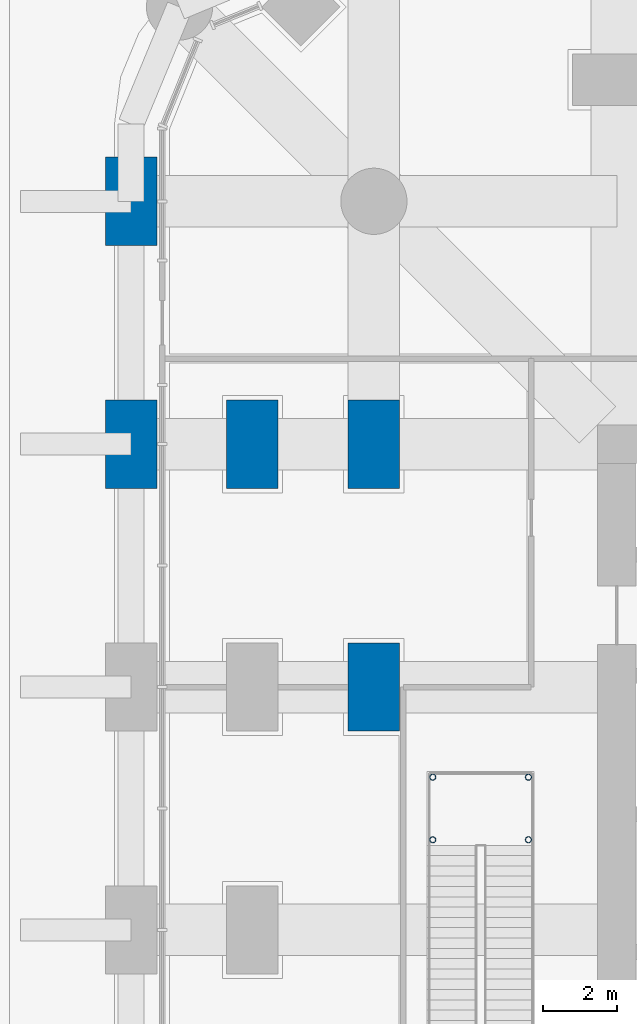
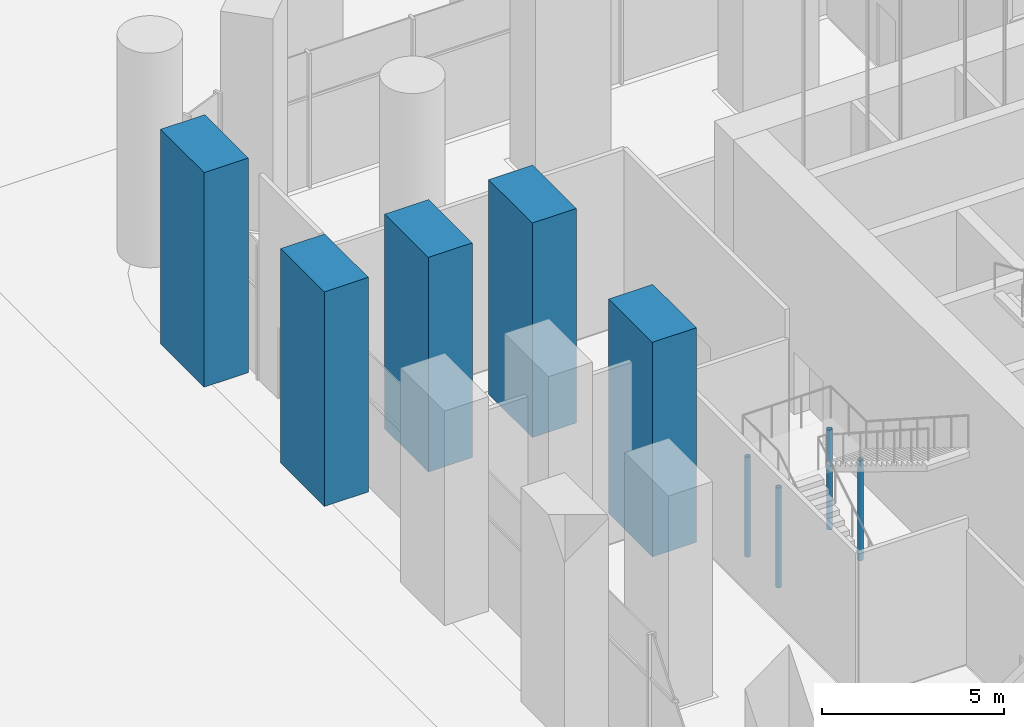
# One storey, part 6 of 32: 9 columns.
"""IFC4 building model written with IfcOpenShell, lengths in metres."""

from ifc_helpers import new_model, si_unit, direction, frame, origin, origin_2d, place, context, subcontext, project, spatial, rectangle, hollow_circle, extrude, material, material_profile, profile_set, type_object, element, save


model = new_model("IFC4")

# Units and contexts
model_context = context("Model", 3, precision=1e-05, world=origin(), true_north=direction((0.0, 1.0)))
body_context = subcontext(model_context, "Body", "Model", "MODEL_VIEW")
ifc_project = project(units=[si_unit("LENGTHUNIT", "METRE"), si_unit("AREAUNIT", "SQUARE_METRE"), si_unit("VOLUMEUNIT", "CUBIC_METRE"), si_unit("PLANEANGLEUNIT", "RADIAN"), si_unit("MASSUNIT", "GRAM", prefix="KILO")], contexts=[model_context])

# Site, building, storey
site_placement = place(None, origin())
site = spatial("IfcSite", under=ifc_project, at=site_placement, CompositionType="ELEMENT")
building_placement = place(site_placement, origin())
building = spatial("IfcBuilding", under=site, at=building_placement, Name="Cobogo Forest Laboratory Tower", CompositionType="ELEMENT")
storey_placement = place(building_placement, origin())
storey = spatial("IfcBuildingStorey", under=building, at=storey_placement, Name="L00", CompositionType="ELEMENT", Elevation=0.0)

# Columns
ifc_material_1 = material(Name="Concrete HA-50 (C50/60)", Category="concrete")
ifc_material_profile_1 = material_profile(ifc_material_1, rectangle(XDim=2.39990234375, YDim=1.39990234375, at=origin_2d()), Name="RC 1400x2400")
ifc_profile_set_1 = profile_set([ifc_material_profile_1], Name="Concrete HA-50 (C50/60)")
column_type_1 = type_object("IfcColumnType", Name="Blade column 1400x2400", PredefinedType="COLUMN", material=ifc_profile_set_1)
for number, where, z_axis, x_axis, name in (
    (1, (0.0, 33.0, 0.0), (0.0, 0.0, 1.0), (0.0, 1.0, 0.0), "Column 1-F L00"),
    (2, (0.0, 39.60009765625, 0.0), (0.0, 0.0, 1.0), (0.0, 1.0, 0.0), "Column 1-G L00"),
    (3, (3.300048828125, 33.0, 0.0), (0.0, 0.0, 1.0), (0.0, 1.0, 0.0), "Column 1.1-F-B L00"),
    (4, (6.60009765625, 26.39990234375, 0.0), (0.0, 0.0, 1.0), (0.0, 1.0, 0.0), "Column 2-E-D L00"),
    (5, (6.60009765625, 33.0, 0.0), (0.0, 0.0, 1.0), (0.0, 1.0, 0.0), "Column 2-F-D L00"),
):
    element("IfcColumn", number, at=place(storey_placement, frame(where, z_axis=z_axis, x_axis=x_axis)), inside=storey, type_object=column_type_1, Name=name, PredefinedType="COLUMN", context=body_context, shape_type="SweptSolid", body=[
        extrude(rectangle(XDim=2.39990234375, YDim=1.39990234375, at=origin_2d()), origin(), (0.0, 0.0, 1.0), 7.199951171875),
    ])
ifc_material_2 = material(Name="Steel S355", Category="steel")
ifc_material_profile_2 = material_profile(ifc_material_2, hollow_circle(Radius=0.084228515625, WallThickness=0.008056640625, at=origin_2d()), Name="CHS 168.3x8")
ifc_profile_set_2 = profile_set([ifc_material_profile_2], Name="Steel S355")
column_type_2 = type_object("IfcColumnType", Name="FSP1 feature stair landing post CHS 168x8", PredefinedType="COLUMN", material=ifc_profile_set_2)
for number, where, z_axis, x_axis, name in (
    (6, (8.199951171875, 22.25, 0.0), (0.0, 0.0, 1.0), (1.0, 0.0, 0.0), "Feature stair landing post 1 L00"),
    (7, (10.800048828125, 22.25, 0.0), (0.0, 0.0, 1.0), (1.0, 0.0, 0.0), "Feature stair landing post 2 L00"),
    (8, (10.800048828125, 23.949951171875, 0.0), (0.0, 0.0, 1.0), (1.0, 0.0, 0.0), "Feature stair landing post 3 L00"),
    (9, (8.199951171875, 23.949951171875, 0.0), (0.0, 0.0, 1.0), (1.0, 0.0, 0.0), "Feature stair landing post 4 L00"),
):
    element("IfcColumn", number, at=place(storey_placement, frame(where, z_axis=z_axis, x_axis=x_axis)), inside=storey, type_object=column_type_2, Name=name, PredefinedType="COLUMN", context=body_context, shape_type="SweptSolid", body=[
        extrude(hollow_circle(Radius=0.084228515625, WallThickness=0.008056640625, at=origin_2d()), origin(), (0.0, 0.0, 1.0), 3.35009765625),
    ])

save(model, "model.ifc")
